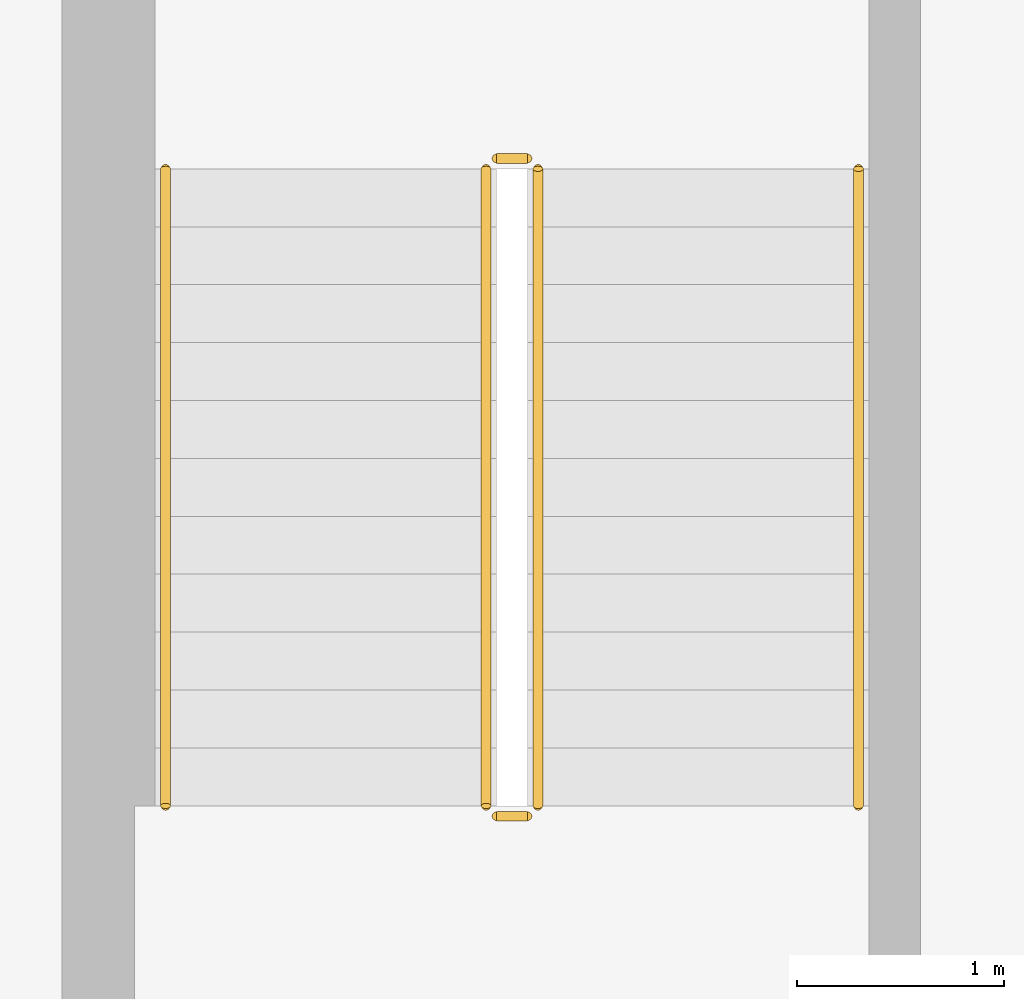
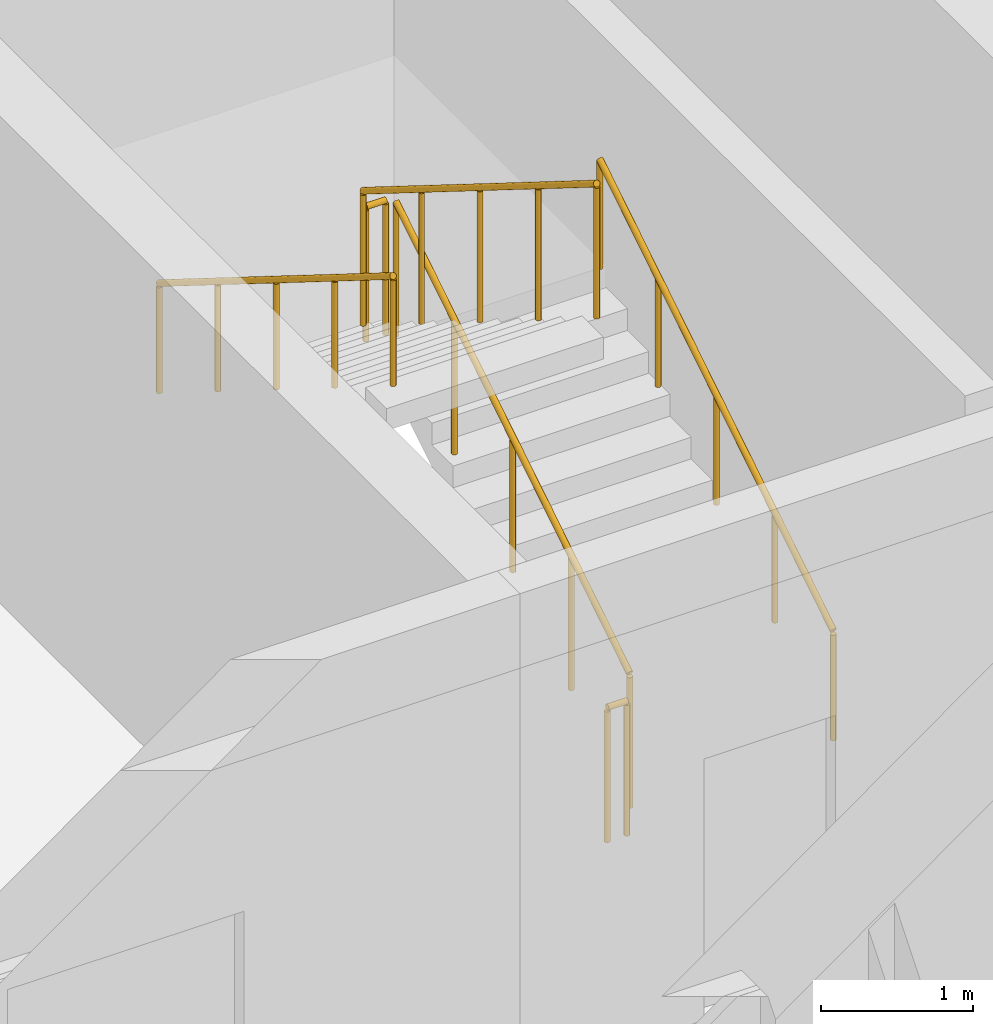
# One storey, part 14 of 16: 6 railings.
"""IFC4 building model written with IfcOpenShell, lengths in metres."""

from ifc_helpers import new_model, si_unit, direction, frame, origin, origin_2d, place, context, subcontext, project, spatial, circle, extrude, material, type_object, element, save


model = new_model("IFC4")

# Units and contexts
model_context = context("Model", 3, precision=1e-05, world=origin(), true_north=direction((0.0, 1.0)))
body_context = subcontext(model_context, "Body", "Model", "MODEL_VIEW")
ifc_project = project(units=[si_unit("LENGTHUNIT", "METRE"), si_unit("AREAUNIT", "SQUARE_METRE"), si_unit("VOLUMEUNIT", "CUBIC_METRE"), si_unit("PLANEANGLEUNIT", "RADIAN"), si_unit("MASSUNIT", "GRAM", prefix="KILO")], contexts=[model_context])

# Site, building, storey
site_placement = place(None, origin())
site = spatial("IfcSite", under=ifc_project, at=site_placement, CompositionType="ELEMENT")
building_placement = place(site_placement, origin())
building = spatial("IfcBuilding", under=site, at=building_placement, Name="Poui Terraces", CompositionType="ELEMENT")
storey_placement = place(building_placement, frame((0.0, 0.0, 15.0)))
storey = spatial("IfcBuildingStorey", under=building, at=storey_placement, Name="L03", CompositionType="ELEMENT", Elevation=15.0)

# Railings
ifc_material_1 = material(Name="Galvanised steel balustrade", Category="steel")
railing_type_1 = type_object("IfcRailingType", Name="STAIR GUARD 1100", PredefinedType="GUARDRAIL", material=ifc_material_1)
railing_1_placement = place(storey_placement, frame((56.074951171875, 32.39990234375, 0.175048828125)))
element("IfcRailing", 1, at=railing_1_placement, inside=storey, type_object=railing_type_1, Name="L03 ST-N3 stair guard 1", PredefinedType="GUARDRAIL", context=body_context, shape_type="SweptSolid", body=[
    extrude(circle(Radius=0.02392578125, at=origin_2d()), frame((0.0, 0.0, 1.076171875), z_axis=(0.0, 0.847998304005, 0.529998940003), x_axis=(-1.0, 0.0, 0.0)), (0.0, 0.0, 1.0), 3.632080078125),
    extrude(circle(Radius=0.02099609375, at=origin_2d()), origin(), (0.0, 0.0, 1.0), 1.052001953125),
    extrude(circle(Radius=0.02099609375, at=origin_2d()), frame((0.0, 0.77001953125, 0.481201171875)), (0.0, 0.0, 1.0), 1.052001953125),
    extrude(circle(Radius=0.02099609375, at=origin_2d()), frame((0.0, 1.5400390625, 0.96240234375)), (0.0, 0.0, 1.0), 1.052001953125),
    extrude(circle(Radius=0.02099609375, at=origin_2d()), frame((0.0, 2.31005859375, 1.44384765625)), (0.0, 0.0, 1.0), 1.052001953125),
    extrude(circle(Radius=0.02099609375, at=origin_2d()), frame((0.0, 3.080078125, 1.925048828125)), (0.0, 0.0, 1.0), 1.052001953125),
])
railing_2_placement = place(storey_placement, frame((56.02490234375, 35.530029296875, 2.10009765625)))
element("IfcRailing", 2, at=railing_2_placement, inside=storey, type_object=railing_type_1, Name="L03 ST-N3 stair guard 2", PredefinedType="GUARDRAIL", context=body_context, shape_type="SweptSolid", body=[
    extrude(circle(Radius=0.02392578125, at=origin_2d()), frame((0.0, 0.0, 1.076171875), z_axis=(-1.0, 0.0, 0.0), x_axis=(0.0, -1.0, 0.0)), (0.0, 0.0, 1.0), 0.14990234375),
    extrude(circle(Radius=0.02099609375, at=origin_2d()), origin(), (0.0, 0.0, 1.0), 1.052001953125),
    extrude(circle(Radius=0.02099609375, at=origin_2d()), frame((-0.14990234375, 0.0, 0.0)), (0.0, 0.0, 1.0), 1.052001953125),
])
railing_3_placement = place(storey_placement, frame((55.824951171875, 35.47998046875, 2.27490234375)))
element("IfcRailing", 3, at=railing_3_placement, inside=storey, type_object=railing_type_1, Name="L03 ST-N3 stair guard 3", PredefinedType="GUARDRAIL", context=body_context, shape_type="SweptSolid", body=[
    extrude(circle(Radius=0.02392578125, at=origin_2d()), frame((0.0, 0.0, 1.076171875), z_axis=(0.0, -0.847998304005, 0.529998940003), x_axis=(1.0, 0.0, 0.0)), (0.0, 0.0, 1.0), 3.632080078125),
    extrude(circle(Radius=0.02099609375, at=origin_2d()), origin(), (0.0, 0.0, 1.0), 1.052001953125),
    extrude(circle(Radius=0.02099609375, at=origin_2d()), frame((0.0, -0.77001953125, 0.481201171875)), (0.0, 0.0, 1.0), 1.052001953125),
    extrude(circle(Radius=0.02099609375, at=origin_2d()), frame((0.0, -1.5400390625, 0.96240234375)), (0.0, 0.0, 1.0), 1.052001953125),
    extrude(circle(Radius=0.02099609375, at=origin_2d()), frame((0.0, -2.31005859375, 1.44384765625)), (0.0, 0.0, 1.0), 1.052001953125),
    extrude(circle(Radius=0.02099609375, at=origin_2d()), frame((0.0, -3.080078125, 1.925048828125)), (0.0, 0.0, 1.0), 1.052001953125),
])
railing_4_placement = place(storey_placement, frame((56.02490234375, 32.35009765625, 0.0)))
element("IfcRailing", 4, at=railing_4_placement, inside=storey, type_object=railing_type_1, Name="L03 ST-N3 stair guard 4", PredefinedType="GUARDRAIL", context=body_context, shape_type="SweptSolid", body=[
    extrude(circle(Radius=0.02392578125, at=origin_2d()), frame((0.0, 0.0, 1.076171875), z_axis=(-1.0, 0.0, 0.0), x_axis=(0.0, -1.0, 0.0)), (0.0, 0.0, 1.0), 0.14990234375),
    extrude(circle(Radius=0.02099609375, at=origin_2d()), origin(), (0.0, 0.0, 1.0), 1.052001953125),
    extrude(circle(Radius=0.02099609375, at=origin_2d()), frame((-0.14990234375, 0.0, 0.0)), (0.0, 0.0, 1.0), 1.052001953125),
])
ifc_material_2 = material(Name="Stainless steel handrail", Category="steel")
railing_type_2 = type_object("IfcRailingType", Name="STAIR HANDRAIL 900", PredefinedType="HANDRAIL", material=ifc_material_2)
railing_5_placement = place(storey_placement, frame((57.625, 32.39990234375, 0.175048828125)))
element("IfcRailing", 5, at=railing_5_placement, inside=storey, type_object=railing_type_2, Name="L03 ST-N3 stair handrail 1", PredefinedType="HANDRAIL", context=body_context, shape_type="SweptSolid", body=[
    extrude(circle(Radius=0.02392578125, at=origin_2d()), frame((0.0, 0.0, 0.8759765625), z_axis=(0.0, 0.847998304005, 0.529998940003), x_axis=(-1.0, 0.0, 0.0)), (0.0, 0.0, 1.0), 3.632080078125),
    extrude(circle(Radius=0.02099609375, at=origin_2d()), origin(), (0.0, 0.0, 1.0), 0.851806640625),
    extrude(circle(Radius=0.02099609375, at=origin_2d()), frame((0.0, 0.77001953125, 0.481201171875)), (0.0, 0.0, 1.0), 0.851806640625),
    extrude(circle(Radius=0.02099609375, at=origin_2d()), frame((0.0, 1.5400390625, 0.96240234375)), (0.0, 0.0, 1.0), 0.851806640625),
    extrude(circle(Radius=0.02099609375, at=origin_2d()), frame((0.0, 2.31005859375, 1.44384765625)), (0.0, 0.0, 1.0), 0.851806640625),
    extrude(circle(Radius=0.02099609375, at=origin_2d()), frame((0.0, 3.080078125, 1.925048828125)), (0.0, 0.0, 1.0), 0.851806640625),
])
railing_6_placement = place(storey_placement, frame((54.27490234375, 35.47998046875, 2.27490234375)))
element("IfcRailing", 6, at=railing_6_placement, inside=storey, type_object=railing_type_2, Name="L03 ST-N3 stair handrail 2", PredefinedType="HANDRAIL", context=body_context, shape_type="SweptSolid", body=[
    extrude(circle(Radius=0.02392578125, at=origin_2d()), frame((0.0, 0.0, 0.8759765625), z_axis=(0.0, -0.847998304005, 0.529998940003), x_axis=(1.0, 0.0, 0.0)), (0.0, 0.0, 1.0), 3.632080078125),
    extrude(circle(Radius=0.02099609375, at=origin_2d()), origin(), (0.0, 0.0, 1.0), 0.851806640625),
    extrude(circle(Radius=0.02099609375, at=origin_2d()), frame((0.0, -0.77001953125, 0.481201171875)), (0.0, 0.0, 1.0), 0.851806640625),
    extrude(circle(Radius=0.02099609375, at=origin_2d()), frame((0.0, -1.5400390625, 0.96240234375)), (0.0, 0.0, 1.0), 0.851806640625),
    extrude(circle(Radius=0.02099609375, at=origin_2d()), frame((0.0, -2.31005859375, 1.44384765625)), (0.0, 0.0, 1.0), 0.851806640625),
    extrude(circle(Radius=0.02099609375, at=origin_2d()), frame((0.0, -3.080078125, 1.925048828125)), (0.0, 0.0, 1.0), 0.851806640625),
])

save(model, "model.ifc")
